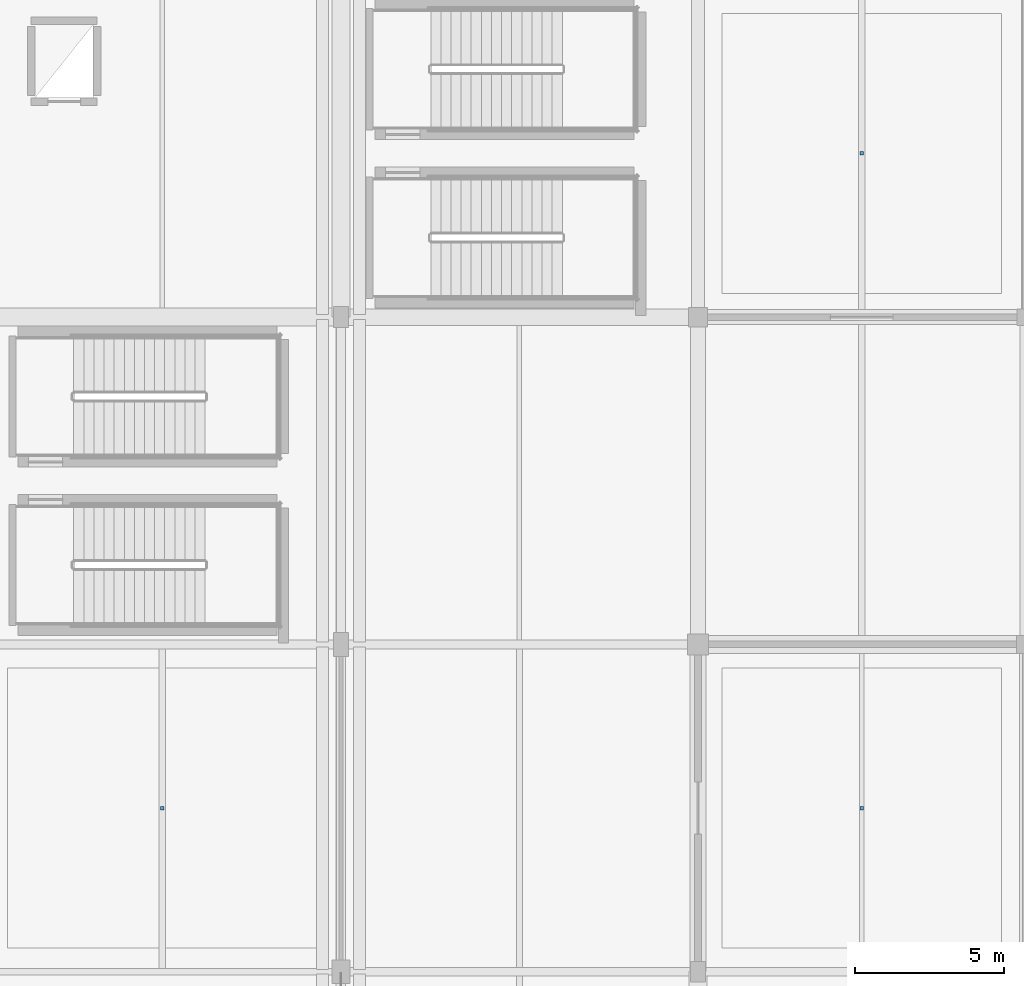
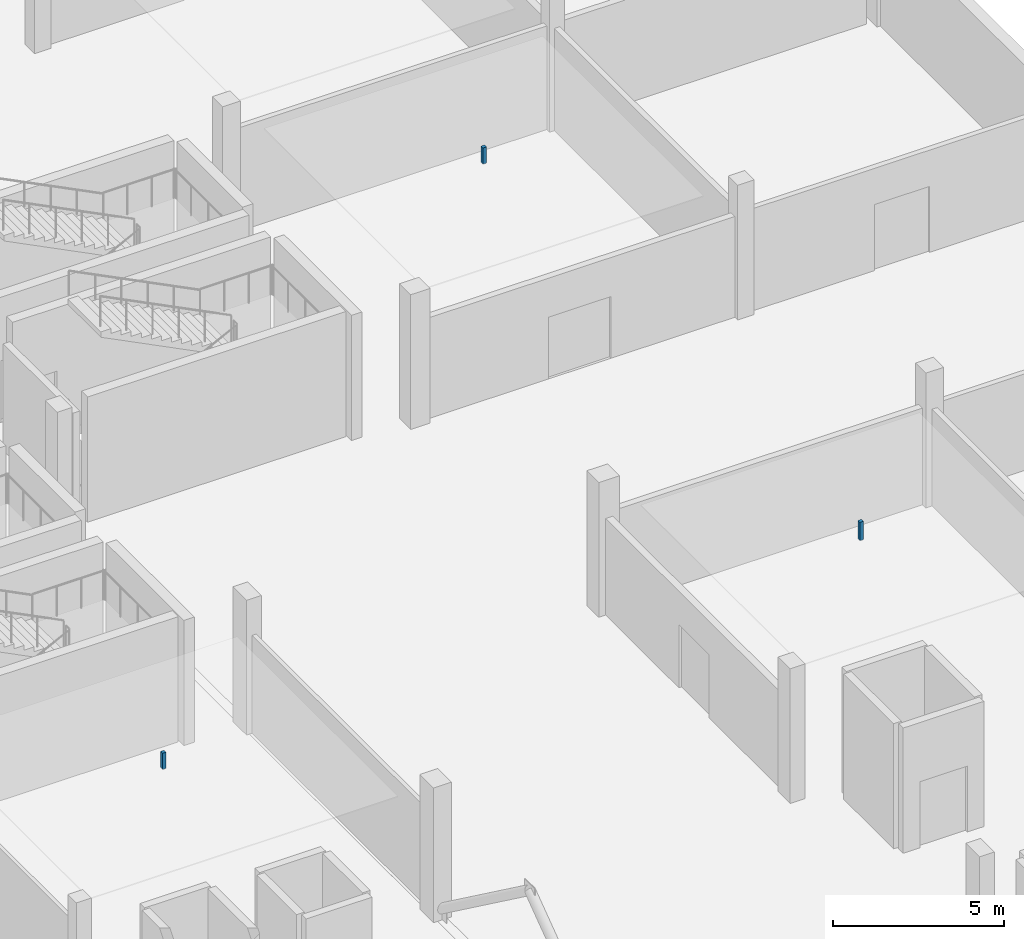
# One storey, part 113 of 143: 3 discrete accessories.
"""IFC4 building model written with IfcOpenShell, lengths in metres."""

from ifc_helpers import new_model, si_unit, direction, frame, origin, origin_2d, place, context, subcontext, project, spatial, rectangle, extrude, material, layer, layer_set, type_object, element, save


model = new_model("IFC4")

# Units and contexts
model_context = context("Model", 3, precision=1e-05, world=origin(), true_north=direction((0.0, 1.0)))
body_context = subcontext(model_context, "Body", "Model", "MODEL_VIEW")
ifc_project = project(units=[si_unit("LENGTHUNIT", "METRE"), si_unit("AREAUNIT", "SQUARE_METRE"), si_unit("VOLUMEUNIT", "CUBIC_METRE"), si_unit("PLANEANGLEUNIT", "RADIAN"), si_unit("MASSUNIT", "GRAM", prefix="KILO")], contexts=[model_context])

# Site, building, storey
site_placement = place(None, origin())
site = spatial("IfcSite", under=ifc_project, at=site_placement, CompositionType="ELEMENT")
building_placement = place(site_placement, origin())
building = spatial("IfcBuilding", under=site, at=building_placement, Name="Luwafu Chhajja Arena", CompositionType="ELEMENT")
storey_placement = place(building_placement, frame((0.0, 0.0, 5.39990234375)))
storey = spatial("IfcBuildingStorey", under=building, at=storey_placement, Name="L01", CompositionType="ELEMENT", Elevation=5.39990234375)

# Discrete accessories
ifc_material = material(Name="Stainless steel bracket", Category="steel")
ifc_layer = layer(ifc_material, 0.179931640625, Name="Stainless steel bracket")
ifc_layer_set = layer_set([ifc_layer], Name="Stainless steel bracket")
discrete_accessory_type = type_object("IfcDiscreteAccessoryType", Name="Stainless Steel Facade Support Bracket", PredefinedType="BRACKET", material=ifc_layer_set)
discrete_accessory_1_placement = place(storey_placement, frame((158.0, 38.5, 3.93603515625), z_axis=(0.0, 0.0, 1.0), x_axis=(1.0, 0.0, 0.0)))
element("IfcDiscreteAccessory", 1, at=discrete_accessory_1_placement, inside=storey, type_object=discrete_accessory_type, Name="L01 Ceiling Suspension Hanger 036", PredefinedType="BRACKET", context=body_context, shape_type="SweptSolid", body=[
    extrude(rectangle(XDim=0.1201171875, YDim=0.1201171875, at=origin_2d()), origin(), (0.0, 0.0, 1.0), 0.573974609375),
])
discrete_accessory_2_placement = place(storey_placement, frame((181.5, 38.5, 3.859375), z_axis=(0.0, 0.0, 1.0), x_axis=(1.0, 0.0, 0.0)))
element("IfcDiscreteAccessory", 2, at=discrete_accessory_2_placement, inside=storey, type_object=discrete_accessory_type, Name="L01 Ceiling Suspension Hanger 038", PredefinedType="BRACKET", context=body_context, shape_type="SweptSolid", body=[
    extrude(rectangle(XDim=0.1201171875, YDim=0.1201171875, at=origin_2d()), origin(), (0.0, 0.0, 1.0), 0.650634765625),
])
discrete_accessory_3_placement = place(storey_placement, frame((181.5, 60.5, 3.93603515625), z_axis=(0.0, 0.0, 1.0), x_axis=(1.0, 0.0, 0.0)))
element("IfcDiscreteAccessory", 3, at=discrete_accessory_3_placement, inside=storey, type_object=discrete_accessory_type, Name="L01 Ceiling Suspension Hanger 039", PredefinedType="BRACKET", context=body_context, shape_type="SweptSolid", body=[
    extrude(rectangle(XDim=0.1201171875, YDim=0.1201171875, at=origin_2d()), origin(), (0.0, 0.0, 1.0), 0.573974609375),
])

save(model, "model.ifc")
